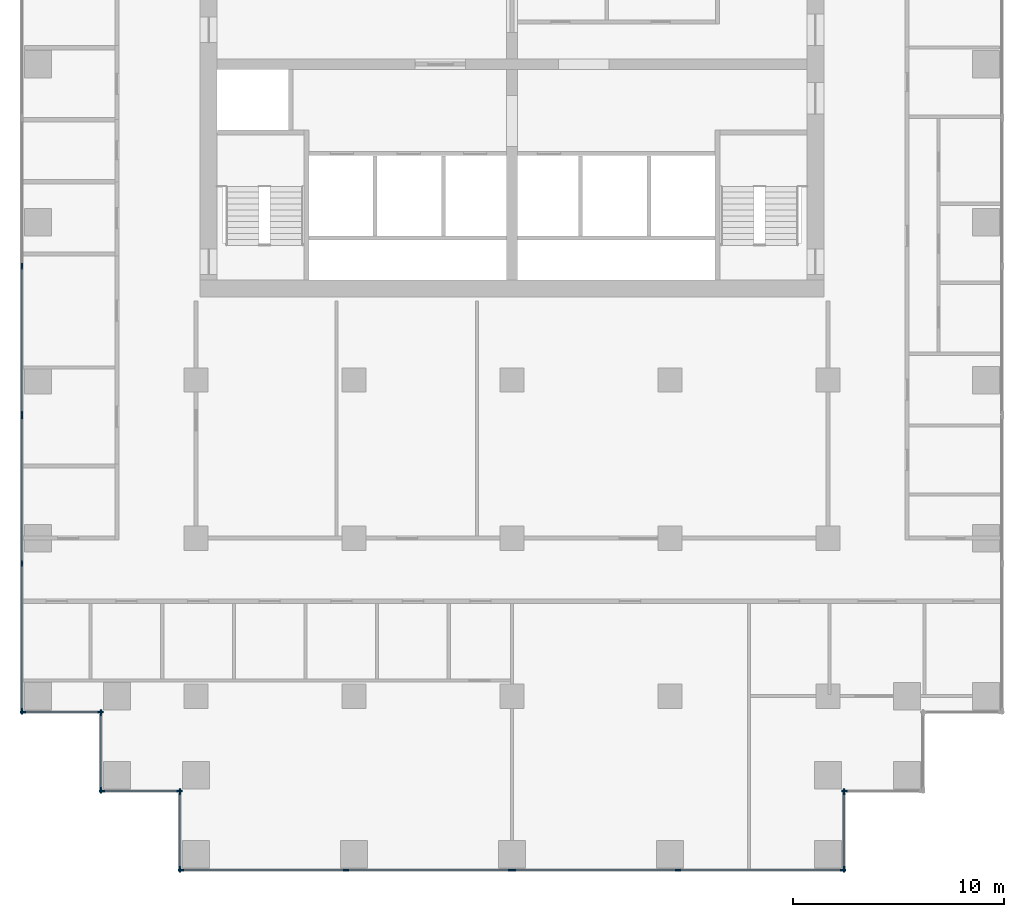
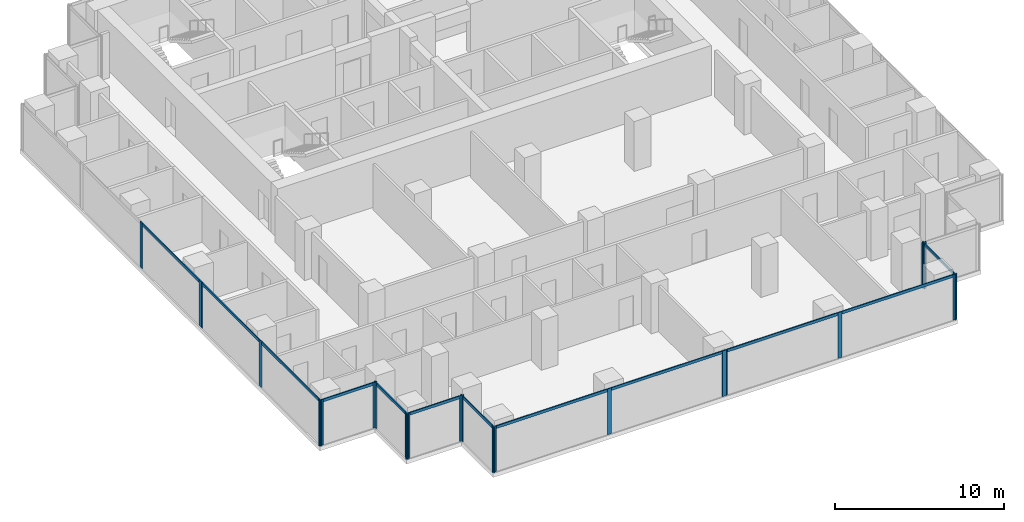
# One storey, part 2 of 11: 34 members, 10 elements without a shape of their own.
"""IFC4 building model written with IfcOpenShell, lengths in metres."""

from ifc_helpers import new_model, si_unit, direction, frame, origin, origin_2d, place, context, subcontext, project, spatial, rectangle, extrude, material, material_profile, profile_set, type_object, element, aggregate, save


model = new_model("IFC4")

# Units and contexts
model_context = context("Model", 3, precision=1e-05, world=origin(), true_north=direction((0.0, 1.0)))
body_context = subcontext(model_context, "Body", "Model", "MODEL_VIEW")
ifc_project = project(units=[si_unit("LENGTHUNIT", "METRE"), si_unit("AREAUNIT", "SQUARE_METRE"), si_unit("VOLUMEUNIT", "CUBIC_METRE"), si_unit("PLANEANGLEUNIT", "RADIAN"), si_unit("MASSUNIT", "GRAM", prefix="KILO")], contexts=[model_context])

# Site, building, storey
site_placement = place(None, origin())
site = spatial("IfcSite", under=ifc_project, at=site_placement, CompositionType="ELEMENT")
building_placement = place(site_placement, origin())
building = spatial("IfcBuilding", under=site, at=building_placement, Name="Pilkhan Gate Tower", CompositionType="ELEMENT")
storey_placement = place(building_placement, frame((0.0, 0.0, 121.60009765625)))
storey = spatial("IfcBuildingStorey", under=building, at=storey_placement, Name="L30", CompositionType="ELEMENT", Elevation=121.60009765625)

# Curtain wall, members
ifc_material_1 = material(Name="Pale anodised aluminium, clear low-iron double glazing", Category="aluminium")
curtain_wall_type = type_object("IfcCurtainWallType", Name="Office unitised curtain wall CW-O1", PredefinedType="USERDEFINED", material=ifc_material_1)
curtain_wall_1_placement = place(storey_placement, origin())
curtain_wall_1 = element("IfcCurtainWall", 1, at=curtain_wall_1_placement, inside=storey, type_object=curtain_wall_type, Name="Office unitised curtain wall CW-O1 L30 W", ObjectType="UNITISED CURTAIN WALL", PredefinedType="USERDEFINED")
ifc_material_2 = material(Name="Pale anodised aluminium", Category="aluminium")
ifc_material_profile_1 = material_profile(ifc_material_2, rectangle(XDim=0.070068359375, YDim=0.27490234375, at=origin_2d()), Name="Mullion 275x70")
ifc_profile_set_1 = profile_set([ifc_material_profile_1], Name="Pale anodised aluminium")
member_type_1 = type_object("IfcMemberType", Name="Mullion CW-O1 275x70", PredefinedType="MULLION", material=ifc_profile_set_1)
member_1_placement = place(storey_placement, frame((51.75, 51.784912109375, 0.0), z_axis=(0.0, 0.0, 1.0), x_axis=(-1.0, 0.0, 0.0)))
member_1 = element("IfcMember", 2, at=member_1_placement, type_object=member_type_1, Name="CW-O1 mullion 1", PredefinedType="MULLION", context=body_context, shape_type="SweptSolid", body=[
    extrude(rectangle(XDim=0.070068359375, YDim=0.27490234375, at=origin_2d()), origin(), (0.0, 0.0, 1.0), 3.2998046875),
])
member_2_placement = place(storey_placement, frame((51.75, 58.800048828125, 0.0), z_axis=(0.0, 0.0, 1.0), x_axis=(-1.0, 0.0, 0.0)))
member_2 = element("IfcMember", 3, at=member_2_placement, type_object=member_type_1, Name="CW-O1 mullion 2", PredefinedType="MULLION", context=body_context, shape_type="SweptSolid", body=[
    extrude(rectangle(XDim=0.070068359375, YDim=0.27490234375, at=origin_2d()), origin(), (0.0, 0.0, 1.0), 3.2998046875),
])
member_3_placement = place(storey_placement, frame((51.75, 65.81494140625, 0.0), z_axis=(0.0, 0.0, 1.0), x_axis=(-1.0, 0.0, 0.0)))
member_3 = element("IfcMember", 4, at=member_3_placement, type_object=member_type_1, Name="CW-O1 mullion 3", PredefinedType="MULLION", context=body_context, shape_type="SweptSolid", body=[
    extrude(rectangle(XDim=0.070068359375, YDim=0.27490234375, at=origin_2d()), origin(), (0.0, 0.0, 1.0), 3.2998046875),
])

curtain_wall_2_placement = place(storey_placement, origin())
curtain_wall_2 = element("IfcCurtainWall", 5, at=curtain_wall_2_placement, inside=storey, type_object=curtain_wall_type, Name="Office unitised curtain wall CW-O1 L30 W", ObjectType="UNITISED CURTAIN WALL", PredefinedType="USERDEFINED")
member_4_placement = place(storey_placement, frame((51.75, 65.885009765625, 0.0), z_axis=(0.0, 0.0, 1.0), x_axis=(-1.0, 0.0, 0.0)))
member_4 = element("IfcMember", 6, at=member_4_placement, type_object=member_type_1, Name="CW-O1 mullion 1", PredefinedType="MULLION", context=body_context, shape_type="SweptSolid", body=[
    extrude(rectangle(XDim=0.070068359375, YDim=0.27490234375, at=origin_2d()), origin(), (0.0, 0.0, 1.0), 3.2998046875),
])
member_5_placement = place(storey_placement, frame((51.75, 72.89990234375, 0.0), z_axis=(0.0, 0.0, 1.0), x_axis=(-1.0, 0.0, 0.0)))
member_5 = element("IfcMember", 7, at=member_5_placement, type_object=member_type_1, Name="CW-O1 mullion 2", PredefinedType="MULLION", context=body_context, shape_type="SweptSolid", body=[
    extrude(rectangle(XDim=0.070068359375, YDim=0.27490234375, at=origin_2d()), origin(), (0.0, 0.0, 1.0), 3.2998046875),
])

curtain_wall_3_placement = place(storey_placement, origin())
curtain_wall_3 = element("IfcCurtainWall", 8, at=curtain_wall_3_placement, inside=storey, type_object=curtain_wall_type, Name="Office unitised curtain wall CW-O1 L30 S", ObjectType="UNITISED CURTAIN WALL", PredefinedType="USERDEFINED")
member_6_placement = place(storey_placement, frame((51.784912109375, 51.75, 0.0), z_axis=(0.0, 0.0, 1.0), x_axis=(0.0, 1.0, 0.0)))
member_6 = element("IfcMember", 9, at=member_6_placement, type_object=member_type_1, Name="CW-O1 mullion 1", PredefinedType="MULLION", context=body_context, shape_type="SweptSolid", body=[
    extrude(rectangle(XDim=0.070068359375, YDim=0.27490234375, at=origin_2d()), origin(), (0.0, 0.0, 1.0), 3.2998046875),
])
member_7_placement = place(storey_placement, frame((55.465087890625, 51.75, 0.0), z_axis=(0.0, 0.0, 1.0), x_axis=(0.0, 1.0, 0.0)))
member_7 = element("IfcMember", 10, at=member_7_placement, type_object=member_type_1, Name="CW-O1 mullion 2", PredefinedType="MULLION", context=body_context, shape_type="SweptSolid", body=[
    extrude(rectangle(XDim=0.070068359375, YDim=0.27490234375, at=origin_2d()), origin(), (0.0, 0.0, 1.0), 3.2998046875),
])

curtain_wall_4_placement = place(storey_placement, origin())
curtain_wall_4 = element("IfcCurtainWall", 11, at=curtain_wall_4_placement, inside=storey, type_object=curtain_wall_type, Name="Office unitised curtain wall CW-O1 L30 W", ObjectType="UNITISED CURTAIN WALL", PredefinedType="USERDEFINED")
member_8_placement = place(storey_placement, frame((55.5, 48.034912109375, 0.0), z_axis=(0.0, 0.0, 1.0), x_axis=(-1.0, 0.0, 0.0)))
member_8 = element("IfcMember", 12, at=member_8_placement, type_object=member_type_1, Name="CW-O1 mullion 1", PredefinedType="MULLION", context=body_context, shape_type="SweptSolid", body=[
    extrude(rectangle(XDim=0.070068359375, YDim=0.27490234375, at=origin_2d()), origin(), (0.0, 0.0, 1.0), 3.2998046875),
])
member_9_placement = place(storey_placement, frame((55.5, 51.715087890625, 0.0), z_axis=(0.0, 0.0, 1.0), x_axis=(-1.0, 0.0, 0.0)))
member_9 = element("IfcMember", 13, at=member_9_placement, type_object=member_type_1, Name="CW-O1 mullion 2", PredefinedType="MULLION", context=body_context, shape_type="SweptSolid", body=[
    extrude(rectangle(XDim=0.070068359375, YDim=0.27490234375, at=origin_2d()), origin(), (0.0, 0.0, 1.0), 3.2998046875),
])

curtain_wall_5_placement = place(storey_placement, origin())
curtain_wall_5 = element("IfcCurtainWall", 14, at=curtain_wall_5_placement, inside=storey, type_object=curtain_wall_type, Name="Office unitised curtain wall CW-O1 L30 S", ObjectType="UNITISED CURTAIN WALL", PredefinedType="USERDEFINED")
member_10_placement = place(storey_placement, frame((55.534912109375, 48.0, 0.0), z_axis=(0.0, 0.0, 1.0), x_axis=(0.0, 1.0, 0.0)))
member_10 = element("IfcMember", 15, at=member_10_placement, type_object=member_type_1, Name="CW-O1 mullion 1", PredefinedType="MULLION", context=body_context, shape_type="SweptSolid", body=[
    extrude(rectangle(XDim=0.070068359375, YDim=0.27490234375, at=origin_2d()), origin(), (0.0, 0.0, 1.0), 3.2998046875),
])
member_11_placement = place(storey_placement, frame((59.215087890625, 48.0, 0.0), z_axis=(0.0, 0.0, 1.0), x_axis=(0.0, 1.0, 0.0)))
member_11 = element("IfcMember", 16, at=member_11_placement, type_object=member_type_1, Name="CW-O1 mullion 2", PredefinedType="MULLION", context=body_context, shape_type="SweptSolid", body=[
    extrude(rectangle(XDim=0.070068359375, YDim=0.27490234375, at=origin_2d()), origin(), (0.0, 0.0, 1.0), 3.2998046875),
])

curtain_wall_6_placement = place(storey_placement, origin())
curtain_wall_6 = element("IfcCurtainWall", 17, at=curtain_wall_6_placement, inside=storey, type_object=curtain_wall_type, Name="Office unitised curtain wall CW-O1 L30 W", ObjectType="UNITISED CURTAIN WALL", PredefinedType="USERDEFINED")
member_12_placement = place(storey_placement, frame((59.25, 44.284912109375, 0.0), z_axis=(0.0, 0.0, 1.0), x_axis=(-1.0, 0.0, 0.0)))
member_12 = element("IfcMember", 18, at=member_12_placement, type_object=member_type_1, Name="CW-O1 mullion 1", PredefinedType="MULLION", context=body_context, shape_type="SweptSolid", body=[
    extrude(rectangle(XDim=0.070068359375, YDim=0.27490234375, at=origin_2d()), origin(), (0.0, 0.0, 1.0), 3.2998046875),
])
member_13_placement = place(storey_placement, frame((59.25, 47.965087890625, 0.0), z_axis=(0.0, 0.0, 1.0), x_axis=(-1.0, 0.0, 0.0)))
member_13 = element("IfcMember", 19, at=member_13_placement, type_object=member_type_1, Name="CW-O1 mullion 2", PredefinedType="MULLION", context=body_context, shape_type="SweptSolid", body=[
    extrude(rectangle(XDim=0.070068359375, YDim=0.27490234375, at=origin_2d()), origin(), (0.0, 0.0, 1.0), 3.2998046875),
])

curtain_wall_7_placement = place(storey_placement, origin())
curtain_wall_7 = element("IfcCurtainWall", 20, at=curtain_wall_7_placement, inside=storey, type_object=curtain_wall_type, Name="Office unitised curtain wall CW-O1 L30 S", ObjectType="UNITISED CURTAIN WALL", PredefinedType="USERDEFINED")
member_14_placement = place(storey_placement, frame((59.284912109375, 44.25, 0.0), z_axis=(0.0, 0.0, 1.0), x_axis=(0.0, 1.0, 0.0)))
member_14 = element("IfcMember", 21, at=member_14_placement, type_object=member_type_1, Name="CW-O1 mullion 1", PredefinedType="MULLION", context=body_context, shape_type="SweptSolid", body=[
    extrude(rectangle(XDim=0.070068359375, YDim=0.27490234375, at=origin_2d()), origin(), (0.0, 0.0, 1.0), 3.2998046875),
])
member_15_placement = place(storey_placement, frame((67.125, 44.25, 0.0), z_axis=(0.0, 0.0, 1.0), x_axis=(0.0, 1.0, 0.0)))
member_15 = element("IfcMember", 22, at=member_15_placement, type_object=member_type_1, Name="CW-O1 mullion 2", PredefinedType="MULLION", context=body_context, shape_type="SweptSolid", body=[
    extrude(rectangle(XDim=0.070068359375, YDim=0.27490234375, at=origin_2d()), origin(), (0.0, 0.0, 1.0), 3.2998046875),
])
member_16_placement = place(storey_placement, frame((74.965087890625, 44.25, 0.0), z_axis=(0.0, 0.0, 1.0), x_axis=(0.0, 1.0, 0.0)))
member_16 = element("IfcMember", 23, at=member_16_placement, type_object=member_type_1, Name="CW-O1 mullion 3", PredefinedType="MULLION", context=body_context, shape_type="SweptSolid", body=[
    extrude(rectangle(XDim=0.070068359375, YDim=0.27490234375, at=origin_2d()), origin(), (0.0, 0.0, 1.0), 3.2998046875),
])

curtain_wall_8_placement = place(storey_placement, origin())
curtain_wall_8 = element("IfcCurtainWall", 24, at=curtain_wall_8_placement, inside=storey, type_object=curtain_wall_type, Name="Office unitised curtain wall CW-O1 L30 S", ObjectType="UNITISED CURTAIN WALL", PredefinedType="USERDEFINED")
member_17_placement = place(storey_placement, frame((75.034912109375, 44.25, 0.0), z_axis=(0.0, 0.0, 1.0), x_axis=(0.0, 1.0, 0.0)))
member_17 = element("IfcMember", 25, at=member_17_placement, type_object=member_type_1, Name="CW-O1 mullion 1", PredefinedType="MULLION", context=body_context, shape_type="SweptSolid", body=[
    extrude(rectangle(XDim=0.070068359375, YDim=0.27490234375, at=origin_2d()), origin(), (0.0, 0.0, 1.0), 3.2998046875),
])
member_18_placement = place(storey_placement, frame((82.875, 44.25, 0.0), z_axis=(0.0, 0.0, 1.0), x_axis=(0.0, 1.0, 0.0)))
member_18 = element("IfcMember", 26, at=member_18_placement, type_object=member_type_1, Name="CW-O1 mullion 2", PredefinedType="MULLION", context=body_context, shape_type="SweptSolid", body=[
    extrude(rectangle(XDim=0.070068359375, YDim=0.27490234375, at=origin_2d()), origin(), (0.0, 0.0, 1.0), 3.2998046875),
])
member_19_placement = place(storey_placement, frame((90.715087890625, 44.25, 0.0), z_axis=(0.0, 0.0, 1.0), x_axis=(0.0, 1.0, 0.0)))
member_19 = element("IfcMember", 27, at=member_19_placement, type_object=member_type_1, Name="CW-O1 mullion 3", PredefinedType="MULLION", context=body_context, shape_type="SweptSolid", body=[
    extrude(rectangle(XDim=0.070068359375, YDim=0.27490234375, at=origin_2d()), origin(), (0.0, 0.0, 1.0), 3.2998046875),
])

curtain_wall_9_placement = place(storey_placement, origin())
curtain_wall_9 = element("IfcCurtainWall", 28, at=curtain_wall_9_placement, inside=storey, type_object=curtain_wall_type, Name="Office unitised curtain wall CW-O1 L30 E", ObjectType="UNITISED CURTAIN WALL", PredefinedType="USERDEFINED")
member_20_placement = place(storey_placement, frame((90.75, 44.284912109375, 0.0), z_axis=(0.0, 0.0, 1.0), x_axis=(-1.0, 0.0, 0.0)))
member_20 = element("IfcMember", 29, at=member_20_placement, type_object=member_type_1, Name="CW-O1 mullion 1", PredefinedType="MULLION", context=body_context, shape_type="SweptSolid", body=[
    extrude(rectangle(XDim=0.070068359375, YDim=0.27490234375, at=origin_2d()), origin(), (0.0, 0.0, 1.0), 3.2998046875),
])
member_21_placement = place(storey_placement, frame((90.75, 47.965087890625, 0.0), z_axis=(0.0, 0.0, 1.0), x_axis=(-1.0, 0.0, 0.0)))
member_21 = element("IfcMember", 30, at=member_21_placement, type_object=member_type_1, Name="CW-O1 mullion 2", PredefinedType="MULLION", context=body_context, shape_type="SweptSolid", body=[
    extrude(rectangle(XDim=0.070068359375, YDim=0.27490234375, at=origin_2d()), origin(), (0.0, 0.0, 1.0), 3.2998046875),
])

# Curtain wall, member
curtain_wall_10_placement = place(storey_placement, origin())
curtain_wall_10 = element("IfcCurtainWall", 31, at=curtain_wall_10_placement, inside=storey, type_object=curtain_wall_type, Name="Office unitised curtain wall CW-O1 L30 S", ObjectType="UNITISED CURTAIN WALL", PredefinedType="USERDEFINED")
member_22_placement = place(storey_placement, frame((90.784912109375, 48.0, 0.0), z_axis=(0.0, 0.0, 1.0), x_axis=(0.0, 1.0, 0.0)))
member_22 = element("IfcMember", 32, at=member_22_placement, type_object=member_type_1, Name="CW-O1 mullion 1", PredefinedType="MULLION", context=body_context, shape_type="SweptSolid", body=[
    extrude(rectangle(XDim=0.070068359375, YDim=0.27490234375, at=origin_2d()), origin(), (0.0, 0.0, 1.0), 3.2998046875),
])
aggregate(curtain_wall_10, [member_22])

# Member
ifc_material_profile_2 = material_profile(ifc_material_2, rectangle(XDim=0.070068359375, YDim=0.199951171875, at=origin_2d()), Name="Transom 200x70")
ifc_profile_set_2 = profile_set([ifc_material_profile_2], Name="Pale anodised aluminium")
member_type_2 = type_object("IfcMemberType", Name="Transom CW-O1 200x70", PredefinedType="USERDEFINED", material=ifc_profile_set_2)
member_23_placement = place(storey_placement, frame((51.75, 51.820068359375, 3.199951171875), z_axis=(0.0, 1.0, 0.0), x_axis=(-1.0, 0.0, 0.0)))
member_23 = element("IfcMember", 33, at=member_23_placement, type_object=member_type_2, Name="CW-O1 transom 1", ObjectType="TRANSOM", PredefinedType="USERDEFINED", context=body_context, shape_type="SweptSolid", body=[
    extrude(rectangle(XDim=0.070068359375, YDim=0.199951171875, at=origin_2d()), origin(), (0.0, 0.0, 1.0), 6.94482421875),
])

member_24_placement = place(storey_placement, frame((51.75, 58.8349609375, 3.199951171875), z_axis=(0.0, 1.0, 0.0), x_axis=(-1.0, 0.0, 0.0)))
member_24 = element("IfcMember", 34, at=member_24_placement, type_object=member_type_2, Name="CW-O1 transom 2", ObjectType="TRANSOM", PredefinedType="USERDEFINED", context=body_context, shape_type="SweptSolid", body=[
    extrude(rectangle(XDim=0.070068359375, YDim=0.199951171875, at=origin_2d()), origin(), (0.0, 0.0, 1.0), 6.945068359375),
])

aggregate(curtain_wall_1, [member_1, member_2, member_3, member_23, member_24])

member_25_placement = place(storey_placement, frame((51.75, 65.919921875, 3.199951171875), z_axis=(0.0, 1.0, 0.0), x_axis=(-1.0, 0.0, 0.0)))
member_25 = element("IfcMember", 35, at=member_25_placement, type_object=member_type_2, Name="CW-O1 transom 1", ObjectType="TRANSOM", PredefinedType="USERDEFINED", context=body_context, shape_type="SweptSolid", body=[
    extrude(rectangle(XDim=0.070068359375, YDim=0.199951171875, at=origin_2d()), origin(), (0.0, 0.0, 1.0), 6.945068359375),
])

aggregate(curtain_wall_2, [member_4, member_5, member_25])

member_26_placement = place(storey_placement, frame((51.820068359375, 51.75, 3.199951171875), z_axis=(1.0, 0.0, 0.0), x_axis=(0.0, 1.0, 0.0)))
member_26 = element("IfcMember", 36, at=member_26_placement, type_object=member_type_2, Name="CW-O1 transom 1", ObjectType="TRANSOM", PredefinedType="USERDEFINED", context=body_context, shape_type="SweptSolid", body=[
    extrude(rectangle(XDim=0.070068359375, YDim=0.199951171875, at=origin_2d()), origin(), (0.0, 0.0, 1.0), 3.60986328125),
])

aggregate(curtain_wall_3, [member_6, member_7, member_26])

member_27_placement = place(storey_placement, frame((55.5, 48.070068359375, 3.199951171875), z_axis=(0.0, 1.0, 0.0), x_axis=(-1.0, 0.0, 0.0)))
member_27 = element("IfcMember", 37, at=member_27_placement, type_object=member_type_2, Name="CW-O1 transom 1", ObjectType="TRANSOM", PredefinedType="USERDEFINED", context=body_context, shape_type="SweptSolid", body=[
    extrude(rectangle(XDim=0.070068359375, YDim=0.199951171875, at=origin_2d()), origin(), (0.0, 0.0, 1.0), 3.60986328125),
])

aggregate(curtain_wall_4, [member_8, member_9, member_27])

member_28_placement = place(storey_placement, frame((55.570068359375, 48.0, 3.199951171875), z_axis=(1.0, 0.0, 0.0), x_axis=(0.0, 1.0, 0.0)))
member_28 = element("IfcMember", 38, at=member_28_placement, type_object=member_type_2, Name="CW-O1 transom 1", ObjectType="TRANSOM", PredefinedType="USERDEFINED", context=body_context, shape_type="SweptSolid", body=[
    extrude(rectangle(XDim=0.070068359375, YDim=0.199951171875, at=origin_2d()), origin(), (0.0, 0.0, 1.0), 3.60986328125),
])

aggregate(curtain_wall_5, [member_10, member_11, member_28])

member_29_placement = place(storey_placement, frame((59.25, 44.320068359375, 3.199951171875), z_axis=(0.0, 1.0, 0.0), x_axis=(-1.0, 0.0, 0.0)))
member_29 = element("IfcMember", 39, at=member_29_placement, type_object=member_type_2, Name="CW-O1 transom 1", ObjectType="TRANSOM", PredefinedType="USERDEFINED", context=body_context, shape_type="SweptSolid", body=[
    extrude(rectangle(XDim=0.070068359375, YDim=0.199951171875, at=origin_2d()), origin(), (0.0, 0.0, 1.0), 3.60986328125),
])

aggregate(curtain_wall_6, [member_12, member_13, member_29])

member_30_placement = place(storey_placement, frame((59.320068359375, 44.25, 3.199951171875), z_axis=(1.0, 0.0, 0.0), x_axis=(0.0, 1.0, 0.0)))
member_30 = element("IfcMember", 40, at=member_30_placement, type_object=member_type_2, Name="CW-O1 transom 1", ObjectType="TRANSOM", PredefinedType="USERDEFINED", context=body_context, shape_type="SweptSolid", body=[
    extrude(rectangle(XDim=0.070068359375, YDim=0.199951171875, at=origin_2d()), origin(), (0.0, 0.0, 1.0), 7.77001953125),
])

member_31_placement = place(storey_placement, frame((67.159912109375, 44.25, 3.199951171875), z_axis=(1.0, 0.0, 0.0), x_axis=(0.0, 1.0, 0.0)))
member_31 = element("IfcMember", 41, at=member_31_placement, type_object=member_type_2, Name="CW-O1 transom 2", ObjectType="TRANSOM", PredefinedType="USERDEFINED", context=body_context, shape_type="SweptSolid", body=[
    extrude(rectangle(XDim=0.070068359375, YDim=0.199951171875, at=origin_2d()), origin(), (0.0, 0.0, 1.0), 7.77001953125),
])

aggregate(curtain_wall_7, [member_14, member_15, member_16, member_30, member_31])

member_32_placement = place(storey_placement, frame((75.070068359375, 44.25, 3.199951171875), z_axis=(1.0, 0.0, 0.0), x_axis=(0.0, 1.0, 0.0)))
member_32 = element("IfcMember", 42, at=member_32_placement, type_object=member_type_2, Name="CW-O1 transom 1", ObjectType="TRANSOM", PredefinedType="USERDEFINED", context=body_context, shape_type="SweptSolid", body=[
    extrude(rectangle(XDim=0.070068359375, YDim=0.199951171875, at=origin_2d()), origin(), (0.0, 0.0, 1.0), 7.77001953125),
])

member_33_placement = place(storey_placement, frame((82.909912109375, 44.25, 3.199951171875), z_axis=(1.0, 0.0, 0.0), x_axis=(0.0, 1.0, 0.0)))
member_33 = element("IfcMember", 43, at=member_33_placement, type_object=member_type_2, Name="CW-O1 transom 2", ObjectType="TRANSOM", PredefinedType="USERDEFINED", context=body_context, shape_type="SweptSolid", body=[
    extrude(rectangle(XDim=0.070068359375, YDim=0.199951171875, at=origin_2d()), origin(), (0.0, 0.0, 1.0), 7.77001953125),
])

aggregate(curtain_wall_8, [member_17, member_18, member_19, member_32, member_33])

member_34_placement = place(storey_placement, frame((90.75, 44.320068359375, 3.199951171875), z_axis=(0.0, 1.0, 0.0), x_axis=(-1.0, 0.0, 0.0)))
member_34 = element("IfcMember", 44, at=member_34_placement, type_object=member_type_2, Name="CW-O1 transom 1", ObjectType="TRANSOM", PredefinedType="USERDEFINED", context=body_context, shape_type="SweptSolid", body=[
    extrude(rectangle(XDim=0.070068359375, YDim=0.199951171875, at=origin_2d()), origin(), (0.0, 0.0, 1.0), 3.60986328125),
])

aggregate(curtain_wall_9, [member_20, member_21, member_34])

save(model, "model.ifc")
